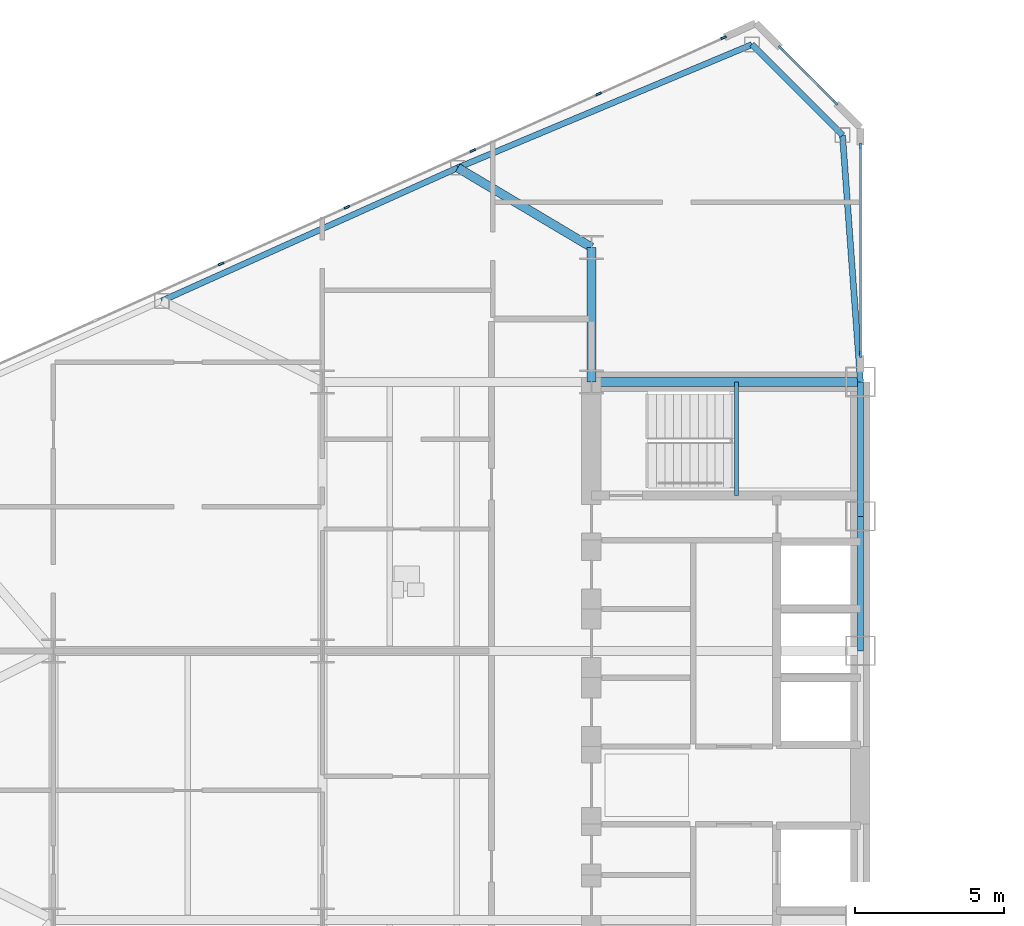
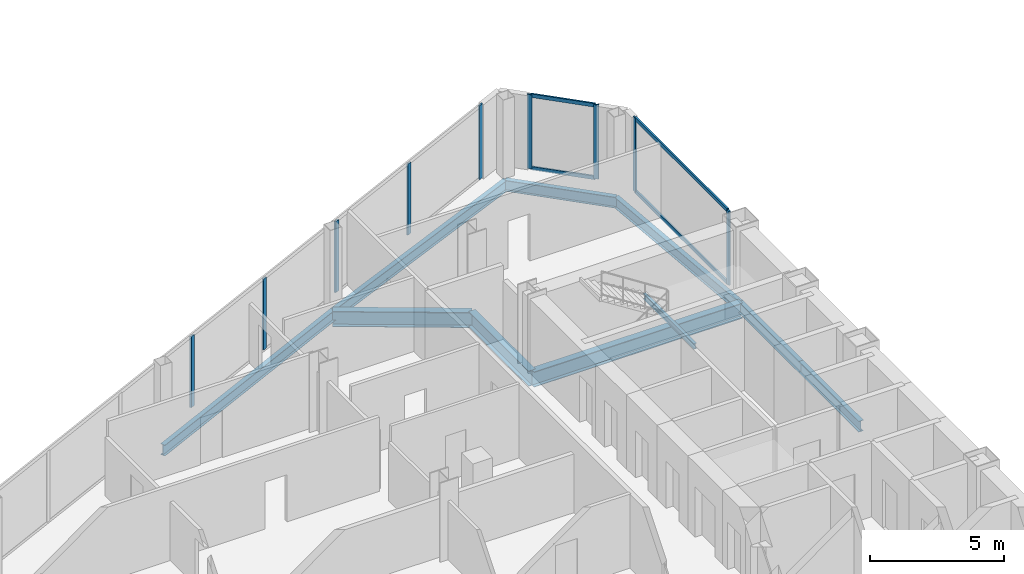
# One storey, part 9 of 27: 13 members, 10 beams, 3 elements without a shape of their own.
"""IFC4 building model written with IfcOpenShell, lengths in metres."""

from ifc_helpers import new_model, si_unit, direction, frame, origin, origin_2d, place, context, subcontext, project, spatial, rectangle, i_section, extrude, source, transform, mapped, material, layer, layer_set, material_profile, profile_set, type_object, type_shapes, element, aggregate, save


model = new_model("IFC4")

# Units and contexts
model_context = context("Model", 3, precision=1e-05, world=origin(), true_north=direction((0.0, 1.0)))
body_context = subcontext(model_context, "Body", "Model", "MODEL_VIEW")
ifc_project = project(units=[si_unit("LENGTHUNIT", "METRE"), si_unit("AREAUNIT", "SQUARE_METRE"), si_unit("VOLUMEUNIT", "CUBIC_METRE"), si_unit("PLANEANGLEUNIT", "RADIAN"), si_unit("MASSUNIT", "GRAM", prefix="KILO")], contexts=[model_context])

# Site, building, storey
site_placement = place(None, origin())
site = spatial("IfcSite", under=ifc_project, at=site_placement, CompositionType="ELEMENT")
building_placement = place(site_placement, origin())
building = spatial("IfcBuilding", under=site, at=building_placement, Name="Seokmaru Belvedere", CompositionType="ELEMENT")
storey_placement = place(building_placement, frame((0.0, 0.0, 80.10009765625)))
storey = spatial("IfcBuildingStorey", under=building, at=storey_placement, Name="L21", CompositionType="ELEMENT", Elevation=80.10009765625)

# Beams
ifc_material_1 = material(Name="Steel SM355 (355 MPa)", Category="steel")
ifc_material_profile_1 = material_profile(ifc_material_1, i_section(OverallWidth=0.199951171875, OverallDepth=0.5, WebThickness=0.010009765625, FlangeThickness=0.01611328125, at=origin_2d()), Name="H-500x200x10x16")
ifc_profile_set_1 = profile_set([ifc_material_profile_1], Name="Steel SM355 (355 MPa)")
beam_type_1 = type_object("IfcBeamType", Name="Perimeter Spandrel Beam H-500", PredefinedType="SPANDREL", material=ifc_profile_set_1)
shared_shape_1 = source(origin(), body_context, "Body", "SweptSolid", [
    extrude(i_section(OverallWidth=0.199951171875, OverallDepth=0.5, WebThickness=0.010009765625, FlangeThickness=0.01611328125, at=origin_2d()), origin(), (0.0, 0.0, 1.0), 4.5),
])
for number, where, z_axis, x_axis, name in (
    (1, (-27.5, 4.5, -0.47021484375), (0.0, 1.0, 0.0), (-1.0, 0.0, 0.0), "L21 W Portal Spine Spandrel 4"),
    (2, (-27.5, 9.0, -0.47021484375), (0.0, 1.0, 0.0), (-1.0, 0.0, 0.0), "L21 W Portal Spine Spandrel 5"),
):
    element("IfcBeam", number, at=place(storey_placement, frame(where, z_axis=z_axis, x_axis=x_axis)), inside=storey, type_object=beam_type_1, Name=name, PredefinedType="SPANDREL", context=body_context, shape_type="MappedRepresentation", body=[
        mapped(shared_shape_1, transform((0.0, 0.0, 0.0), scale=1.0)),
    ])
ifc_material_profile_2 = material_profile(ifc_material_1, i_section(OverallWidth=0.300048828125, OverallDepth=0.699951171875, WebThickness=0.012939453125, FlangeThickness=0.02392578125, at=origin_2d()), Name="H-700x300x13x24")
ifc_profile_set_2 = profile_set([ifc_material_profile_2], Name="Steel SM355 (355 MPa)")
beam_type_2 = type_object("IfcBeamType", Name="Primary Floor Girder H-700", PredefinedType="BEAM", material=ifc_profile_set_2)
shared_shape_2 = source(origin(), body_context, "Body", "SweptSolid", [
    extrude(i_section(OverallWidth=0.300048828125, OverallDepth=0.699951171875, WebThickness=0.012939453125, FlangeThickness=0.02392578125, at=origin_2d()), origin(), (0.0, 0.0, 1.0), 4.5),
])
beam_1_placement = place(storey_placement, frame((-36.5, 13.5, -0.570068359375), z_axis=(0.0, 1.0, 0.0), x_axis=(-1.0, 0.0, 0.0)))
element("IfcBeam", 3, at=beam_1_placement, inside=storey, type_object=beam_type_2, Name="L21 W Core Shoulder Girder N", PredefinedType="BEAM", context=body_context, shape_type="MappedRepresentation", body=[
    mapped(shared_shape_2, transform((0.0, 0.0, 0.0), scale=1.0)),
])
shared_shape_3 = source(origin(), body_context, "Body", "SweptSolid", [
    extrude(i_section(OverallWidth=0.300048828125, OverallDepth=0.699951171875, WebThickness=0.012939453125, FlangeThickness=0.02392578125, at=origin_2d()), origin(), (0.0, 0.0, 1.0), 9.0),
])
beam_2_placement = place(storey_placement, frame((-36.5, 13.5, -0.570068359375), z_axis=(1.0, 0.0, 0.0), x_axis=(0.0, 1.0, 0.0)))
element("IfcBeam", 4, at=beam_2_placement, inside=storey, type_object=beam_type_2, Name="L21 W Core Tie Girder 4", PredefinedType="BEAM", context=body_context, shape_type="MappedRepresentation", body=[
    mapped(shared_shape_3, transform((0.0, 0.0, 0.0), scale=1.0)),
])
shared_shape_4 = source(origin(), body_context, "Body", "SweptSolid", [
    extrude(i_section(OverallWidth=0.199951171875, OverallDepth=0.5, WebThickness=0.010009765625, FlangeThickness=0.01611328125, at=origin_2d()), origin(), (0.0, 0.0, 1.0), 10.66943359375),
])
beam_3_placement = place(storey_placement, frame((-31.13134765625, 24.782958984375, -0.47021484375), z_axis=(-0.922375393128, -0.386294750355, 0.0), x_axis=(0.386294750355, -0.922375393128, 0.0)))
element("IfcBeam", 5, at=beam_3_placement, inside=storey, type_object=beam_type_1, Name="L21 W Faceted Flank Spandrel N-1", PredefinedType="SPANDREL", context=body_context, shape_type="MappedRepresentation", body=[
    mapped(shared_shape_4, transform((0.0, 0.0, 0.0), scale=1.0)),
])
shared_shape_5 = source(origin(), body_context, "Body", "SweptSolid", [
    extrude(i_section(OverallWidth=0.199951171875, OverallDepth=0.5, WebThickness=0.010009765625, FlangeThickness=0.01611328125, at=origin_2d()), origin(), (0.0, 0.0, 1.0), 10.85888671875),
])
beam_4_placement = place(storey_placement, frame((-40.97265625, 20.661376953125, -0.47021484375), z_axis=(-0.911921505175, -0.410364677329, 0.0), x_axis=(0.410364677329, -0.911921505175, 0.0)))
element("IfcBeam", 6, at=beam_4_placement, inside=storey, type_object=beam_type_1, Name="L21 W Faceted Flank Spandrel N-2", PredefinedType="SPANDREL", context=body_context, shape_type="MappedRepresentation", body=[
    mapped(shared_shape_5, transform((0.0, 0.0, 0.0), scale=1.0)),
])
shared_shape_6 = source(origin(), body_context, "Body", "SweptSolid", [
    extrude(i_section(OverallWidth=0.199951171875, OverallDepth=0.5, WebThickness=0.010009765625, FlangeThickness=0.01611328125, at=origin_2d()), origin(), (0.0, 0.0, 1.0), 4.287109375),
])
beam_5_placement = place(storey_placement, frame((-31.13134765625, 24.782958984375, -0.47021484375), z_axis=(0.707078306132, -0.707135255094, 0.0), x_axis=(0.707135255094, 0.707078306132, 0.0)))
element("IfcBeam", 7, at=beam_5_placement, inside=storey, type_object=beam_type_1, Name="L21 W Shoulder Chamfer Spandrel N", PredefinedType="SPANDREL", context=body_context, shape_type="MappedRepresentation", body=[
    mapped(shared_shape_6, transform((0.0, 0.0, 0.0), scale=1.0)),
])
shared_shape_7 = source(origin(), body_context, "Body", "SweptSolid", [
    extrude(i_section(OverallWidth=0.199951171875, OverallDepth=0.5, WebThickness=0.010009765625, FlangeThickness=0.01611328125, at=origin_2d()), origin(), (0.0, 0.0, 1.0), 8.273193359375),
])
type_shapes(beam_type_1, [shared_shape_1, shared_shape_4, shared_shape_5, shared_shape_6, shared_shape_7])
beam_6_placement = place(storey_placement, frame((-28.10009765625, 21.75146484375, -0.47021484375), z_axis=(0.072534628348, -0.99736589459, 0.0), x_axis=(0.99736589459, 0.072534628348, 0.0)))
element("IfcBeam", 8, at=beam_6_placement, inside=storey, type_object=beam_type_1, Name="L21 W Shoulder Spine Spandrel N", PredefinedType="SPANDREL", context=body_context, shape_type="MappedRepresentation", body=[
    mapped(shared_shape_7, transform((0.0, 0.0, 0.0), scale=1.0)),
])
shared_shape_8 = source(origin(), body_context, "Body", "SweptSolid", [
    extrude(i_section(OverallWidth=0.300048828125, OverallDepth=0.699951171875, WebThickness=0.012939453125, FlangeThickness=0.02392578125, at=origin_2d()), origin(), (0.0, 0.0, 1.0), 5.20458984375),
])
type_shapes(beam_type_2, [shared_shape_2, shared_shape_3, shared_shape_8])
beam_7_placement = place(storey_placement, frame((-40.97265625, 20.661376953125, -0.570068359375), z_axis=(0.859370434188, -0.511353553662, 0.0), x_axis=(0.511353553662, 0.859370434188, 0.0)))
element("IfcBeam", 9, at=beam_7_placement, inside=storey, type_object=beam_type_2, Name="L21 W Flank Radial Floor Girder N-1", PredefinedType="BEAM", context=body_context, shape_type="MappedRepresentation", body=[
    mapped(shared_shape_8, transform((0.0, 0.0, 0.0), scale=1.0)),
])

# Curtain wall, members
ifc_material_2 = material(Name="Bronze Triple Insulating Glass", Category="glass")
ifc_layer = layer(ifc_material_2, 0.195068359375)
ifc_layer_set = layer_set([ifc_layer], Name="Bronze Triple Insulating Glass")
curtain_wall_type = type_object("IfcCurtainWallType", Name="Lower-Mid Tapered Curtain Wall System CW-3", PredefinedType="NOTDEFINED", material=ifc_layer_set)
curtain_wall_1_placement = place(storey_placement, origin())
curtain_wall_1 = element("IfcCurtainWall", 10, at=curtain_wall_1_placement, inside=storey, type_object=curtain_wall_type, Name="L21 Curtain Wall WSP_2", PredefinedType="NOTDEFINED")
ifc_material_3 = material(Name="Anodised Bronze Aluminium", Category="aluminium")
ifc_material_profile_3 = material_profile(ifc_material_3, rectangle(XDim=0.070068359375, YDim=0.195068359375, at=origin_2d()), Name="CW-M-70x195")
ifc_profile_set_3 = profile_set([ifc_material_profile_3], Name="Anodised Bronze Aluminium")
member_type_1 = type_object("IfcMemberType", Name="Bronze Unitised Mullion 70x195", PredefinedType="MULLION", material=ifc_profile_set_3)
shared_shape_9 = source(origin(), body_context, "Body", "SweptSolid", [
    extrude(rectangle(XDim=0.070068359375, YDim=0.195068359375, at=origin_2d()), origin(), (0.0, 0.0, 1.0), 3.3798828125),
])
member_1_placement = place(storey_placement, frame((-27.5, 14.4150390625, 0.0), z_axis=(0.0, 0.0, 1.0), x_axis=(-1.0, 0.0, 0.0)))
member_1 = element("IfcMember", 11, at=member_1_placement, type_object=member_type_1, Name="CW:L21:WSP_2 Mullion 1", PredefinedType="MULLION", context=body_context, shape_type="MappedRepresentation", body=[
    mapped(shared_shape_9, transform((0.0, 0.0, 0.0), scale=1.0)),
])
member_2_placement = place(storey_placement, frame((-27.5, 21.39501953125, 0.0), z_axis=(0.0, 0.0, 1.0), x_axis=(-1.0, 0.0, 0.0)))
member_2 = element("IfcMember", 12, at=member_2_placement, type_object=member_type_1, Name="CW:L21:WSP_2 Mullion 2", PredefinedType="MULLION", context=body_context, shape_type="MappedRepresentation", body=[
    mapped(shared_shape_9, transform((0.0, 0.0, 0.0), scale=1.0)),
])

curtain_wall_2_placement = place(storey_placement, origin())
curtain_wall_2 = element("IfcCurtainWall", 13, at=curtain_wall_2_placement, inside=storey, type_object=curtain_wall_type, Name="L21 Curtain Wall WF2", PredefinedType="NOTDEFINED")
member_3_placement = place(storey_placement, frame((-28.337890625, 22.837890625, 0.0), z_axis=(0.0, 0.0, 1.0), x_axis=(-0.707106781187, -0.707106781187, 0.0)))
member_3 = element("IfcMember", 14, at=member_3_placement, type_object=member_type_1, Name="CW:L21:WF2 Mullion 1", PredefinedType="MULLION", context=body_context, shape_type="MappedRepresentation", body=[
    mapped(shared_shape_9, transform((0.0, 0.0, 0.0), scale=1.0)),
])
member_4_placement = place(storey_placement, frame((-30.162109375, 24.662109375, 0.0), z_axis=(0.0, 0.0, 1.0), x_axis=(-0.707106781187, -0.707106781187, 0.0)))
member_4 = element("IfcMember", 15, at=member_4_placement, type_object=member_type_1, Name="CW:L21:WF2 Mullion 2", PredefinedType="MULLION", context=body_context, shape_type="MappedRepresentation", body=[
    mapped(shared_shape_9, transform((0.0, 0.0, 0.0), scale=1.0)),
])

# Curtain wall, member
curtain_wall_3_placement = place(storey_placement, origin())
curtain_wall_3 = element("IfcCurtainWall", 16, at=curtain_wall_3_placement, inside=storey, type_object=curtain_wall_type, Name="L21 Curtain Wall WF3", PredefinedType="NOTDEFINED")
member_5_placement = place(storey_placement, frame((-32.08056640625, 25.013671875, 0.0), z_axis=(0.0, 0.0, 1.0), x_axis=(0.41036554765, -0.91192111353, 0.0)))
member_5 = element("IfcMember", 17, at=member_5_placement, type_object=member_type_1, Name="CW:L21:WF3 Mullion 1", PredefinedType="MULLION", context=body_context, shape_type="MappedRepresentation", body=[
    mapped(shared_shape_9, transform((0.0, 0.0, 0.0), scale=1.0)),
])

# Member
ifc_material_profile_4 = material_profile(ifc_material_3, rectangle(XDim=0.070068359375, YDim=0.1650390625, at=origin_2d()), Name="CW-T-70x165")
ifc_profile_set_4 = profile_set([ifc_material_profile_4], Name="Anodised Bronze Aluminium")
member_type_2 = type_object("IfcMemberType", Name="Bronze Unitised Transom 70x165", PredefinedType="USERDEFINED", material=ifc_profile_set_4)
shared_shape_10 = source(origin(), body_context, "Body", "SweptSolid", [
    extrude(rectangle(XDim=0.070068359375, YDim=0.1650390625, at=origin_2d()), origin(), (0.0, 0.0, 1.0), 6.91015625),
])
member_6_placement = place(storey_placement, frame((-27.5, 14.449951171875, 0.034912109375), z_axis=(0.0, 1.0, 0.0), x_axis=(-1.0, 0.0, 0.0)))
member_6 = element("IfcMember", 18, at=member_6_placement, type_object=member_type_2, Name="CW:L21:WSP_2 Continuous Transom 1", ObjectType="TRANSOM", PredefinedType="USERDEFINED", context=body_context, shape_type="MappedRepresentation", body=[
    mapped(shared_shape_10, transform((0.0, 0.0, 0.0), scale=1.0)),
])

member_7_placement = place(storey_placement, frame((-27.5, 14.449951171875, 3.344970703125), z_axis=(0.0, 1.0, 0.0), x_axis=(-1.0, 0.0, 0.0)))
member_7 = element("IfcMember", 19, at=member_7_placement, type_object=member_type_2, Name="CW:L21:WSP_2 Continuous Transom 2", ObjectType="TRANSOM", PredefinedType="USERDEFINED", context=body_context, shape_type="MappedRepresentation", body=[
    mapped(shared_shape_10, transform((0.0, 0.0, 0.0), scale=1.0)),
])

aggregate(curtain_wall_1, [member_1, member_2, member_6, member_7])

shared_shape_11 = source(origin(), body_context, "Body", "SweptSolid", [
    extrude(rectangle(XDim=0.070068359375, YDim=0.1650390625, at=origin_2d()), origin(), (0.0, 0.0, 1.0), 2.509521484375),
])
type_shapes(member_type_2, [shared_shape_10, shared_shape_11])
member_8_placement = place(storey_placement, frame((-28.36279296875, 22.86279296875, 0.034912109375), z_axis=(-0.707106781187, 0.707106781187, 0.0), x_axis=(-0.707106781187, -0.707106781187, 0.0)))
member_8 = element("IfcMember", 20, at=member_8_placement, type_object=member_type_2, Name="CW:L21:WF2 Continuous Transom 1", ObjectType="TRANSOM", PredefinedType="USERDEFINED", context=body_context, shape_type="MappedRepresentation", body=[
    mapped(shared_shape_11, transform((0.0, 0.0, 0.0), scale=1.0)),
])

member_9_placement = place(storey_placement, frame((-28.36279296875, 22.86279296875, 3.344970703125), z_axis=(-0.707106781187, 0.707106781187, 0.0), x_axis=(-0.707106781187, -0.707106781187, 0.0)))
member_9 = element("IfcMember", 21, at=member_9_placement, type_object=member_type_2, Name="CW:L21:WF2 Continuous Transom 2", ObjectType="TRANSOM", PredefinedType="USERDEFINED", context=body_context, shape_type="MappedRepresentation", body=[
    mapped(shared_shape_11, transform((0.0, 0.0, 0.0), scale=1.0)),
])

aggregate(curtain_wall_2, [member_3, member_4, member_8, member_9])

shared_shape_12 = source(origin(), body_context, "Body", "SweptSolid", [
    extrude(rectangle(XDim=0.070068359375, YDim=0.195068359375, at=origin_2d()), origin(), (0.0, 0.0, 1.0), 3.239990234375),
])
type_shapes(member_type_1, [shared_shape_9, shared_shape_12])
member_10_placement = place(storey_placement, frame((-36.260009765625, 23.133056640625, 0.06982421875), z_axis=(0.0, 0.0, 1.0), x_axis=(0.41036554765, -0.91192111353, 0.0)))
member_10 = element("IfcMember", 22, at=member_10_placement, type_object=member_type_1, Name="CW:L21:WF3 Mullion 2", PredefinedType="MULLION", context=body_context, shape_type="MappedRepresentation", body=[
    mapped(shared_shape_12, transform((0.0, 0.0, 0.0), scale=1.0)),
])

member_11_placement = place(storey_placement, frame((-40.471435546875, 21.23779296875, 0.06982421875), z_axis=(0.0, 0.0, 1.0), x_axis=(0.41036554765, -0.91192111353, 0.0)))
member_11 = element("IfcMember", 23, at=member_11_placement, type_object=member_type_1, Name="CW:L21:WF3 Mullion 3", PredefinedType="MULLION", context=body_context, shape_type="MappedRepresentation", body=[
    mapped(shared_shape_12, transform((0.0, 0.0, 0.0), scale=1.0)),
])

member_12_placement = place(storey_placement, frame((-44.682861328125, 19.3427734375, 0.06982421875), z_axis=(0.0, 0.0, 1.0), x_axis=(0.41036554765, -0.91192111353, 0.0)))
member_12 = element("IfcMember", 24, at=member_12_placement, type_object=member_type_1, Name="CW:L21:WF3 Mullion 4", PredefinedType="MULLION", context=body_context, shape_type="MappedRepresentation", body=[
    mapped(shared_shape_12, transform((0.0, 0.0, 0.0), scale=1.0)),
])

member_13_placement = place(storey_placement, frame((-48.894287109375, 17.447509765625, 0.06982421875), z_axis=(0.0, 0.0, 1.0), x_axis=(0.41036554765, -0.91192111353, 0.0)))
member_13 = element("IfcMember", 25, at=member_13_placement, type_object=member_type_1, Name="CW:L21:WF3 Mullion 5", PredefinedType="MULLION", context=body_context, shape_type="MappedRepresentation", body=[
    mapped(shared_shape_12, transform((0.0, 0.0, 0.0), scale=1.0)),
])

aggregate(curtain_wall_3, [member_5, member_10, member_11, member_12, member_13])

# Beam
ifc_material_profile_5 = material_profile(ifc_material_1, i_section(OverallWidth=0.125, OverallDepth=0.25, WebThickness=0.006103515625, FlangeThickness=0.009033203125, at=origin_2d()), Name="H-250x125x6x9")
ifc_profile_set_5 = profile_set([ifc_material_profile_5], Name="Steel SM355 (355 MPa)")
beam_type_3 = type_object("IfcBeamType", Name="Stair Mid-Landing Support Beam H-250", PredefinedType="JOIST", material=ifc_profile_set_5)
shared_shape_13 = source(origin(), body_context, "Body", "SweptSolid", [
    extrude(i_section(OverallWidth=0.125, OverallDepth=0.25, WebThickness=0.006103515625, FlangeThickness=0.009033203125, at=origin_2d()), origin(), (0.0, 0.0, 1.0), 3.800048828125),
])
type_shapes(beam_type_3, [shared_shape_13])
beam_8_placement = place(storey_placement, frame((-31.64990234375, 9.699951171875, 1.474853515625), z_axis=(0.0, 1.0, 0.0), x_axis=(-1.0, 0.0, 0.0)))
element("IfcBeam", 26, at=beam_8_placement, inside=storey, type_object=beam_type_3, Name="L21 Stair ST-W2 Mid-Landing Support Beam 1", PredefinedType="JOIST", context=body_context, shape_type="MappedRepresentation", body=[
    mapped(shared_shape_13, transform((0.0, 0.0, 0.0), scale=1.0)),
])

save(model, "model.ifc")
